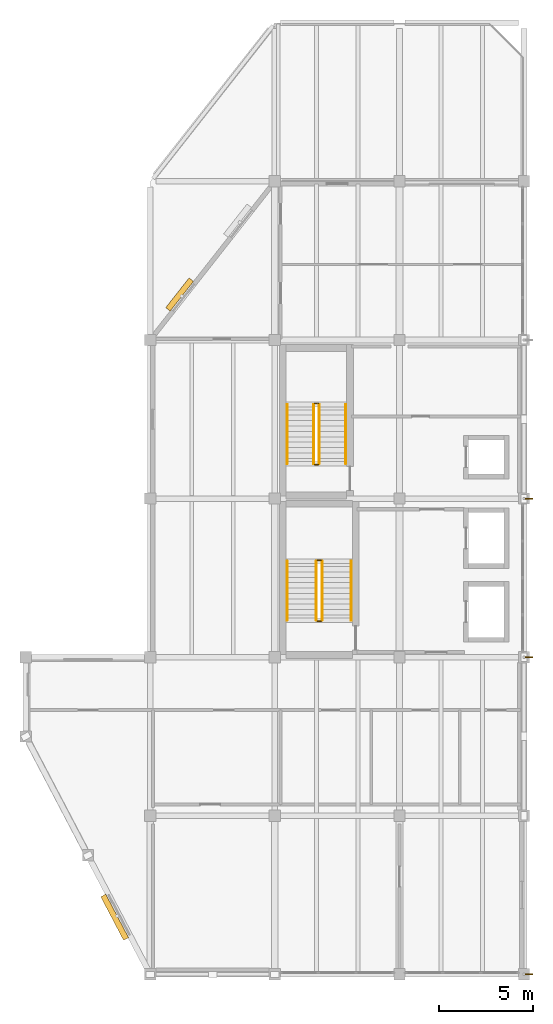
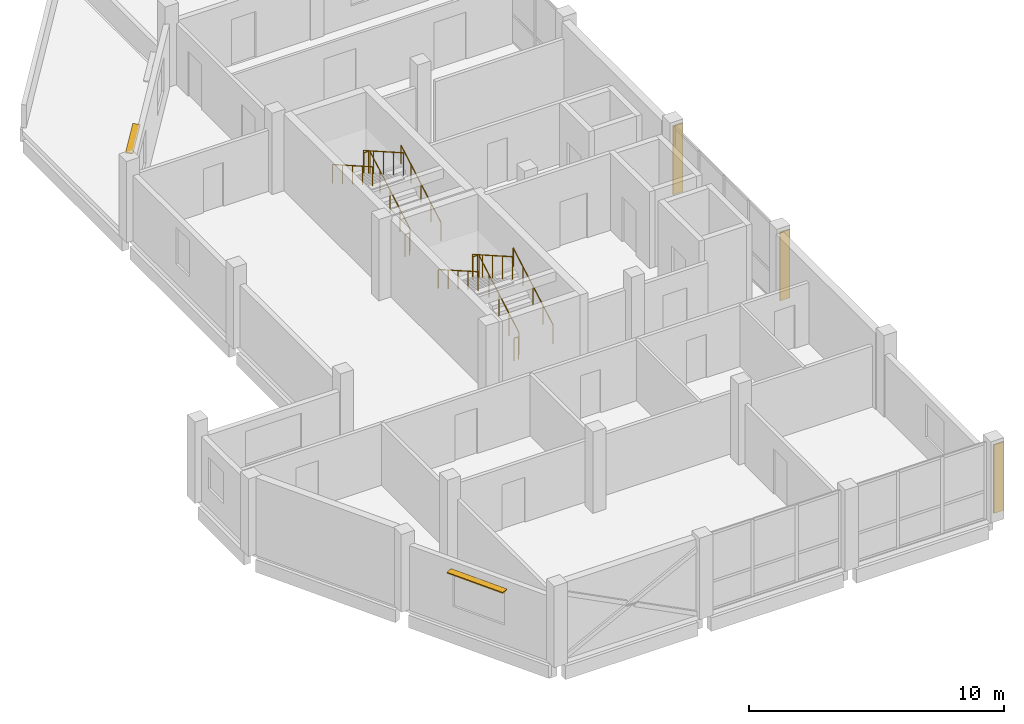
# One storey, part 9 of 10: 12 railings, 5 shading devices.
"""IFC4 building model written with IfcOpenShell, lengths in metres."""

from ifc_helpers import new_model, si_unit, direction, frame, origin, origin_2d, place, context, subcontext, project, spatial, rectangle, circle, extrude, material, layer, layer_set, type_object, element, save


model = new_model("IFC4")

# Units and contexts
model_context = context("Model", 3, precision=1e-05, world=origin(), true_north=direction((0.0, 1.0)))
body_context = subcontext(model_context, "Body", "Model", "MODEL_VIEW")
ifc_project = project(units=[si_unit("LENGTHUNIT", "METRE"), si_unit("AREAUNIT", "SQUARE_METRE"), si_unit("VOLUMEUNIT", "CUBIC_METRE"), si_unit("PLANEANGLEUNIT", "RADIAN"), si_unit("MASSUNIT", "GRAM", prefix="KILO")], contexts=[model_context])

# Site, building, storey
site_placement = place(None, origin())
site = spatial("IfcSite", under=ifc_project, at=site_placement, CompositionType="ELEMENT")
building_placement = place(site_placement, origin())
building = spatial("IfcBuilding", under=site, at=building_placement, Name="Qaldarim Faculty of Natural and Applied Sciences", CompositionType="ELEMENT")
storey_placement = place(building_placement, frame((0.0, 0.0, 39.300048828125)))
storey = spatial("IfcBuildingStorey", under=building, at=storey_placement, Name="L09", CompositionType="ELEMENT", Elevation=39.300048828125)

# Railings
ifc_material_1 = material(Name="Architectural stainless steel 316", Category="steel")
railing_type_1 = type_object("IfcRailingType", Name="GuardBalustrade-1100", PredefinedType="BALUSTRADE", material=ifc_material_1)
railing_1_placement = place(storey_placement, frame((167.5, 18.75, 0.159912109375)))
element("IfcRailing", 1, at=railing_1_placement, inside=storey, type_object=railing_type_1, Name="ST-A1 L09 stair well guard 1", PredefinedType="BALUSTRADE", context=body_context, shape_type="SweptSolid", body=[
    extrude(circle(Radius=0.02392578125, at=origin_2d()), frame((0.0, 0.0, 1.076171875), z_axis=(0.0, 0.86840956187, 0.495847590346), x_axis=(-1.0, 0.0, 0.0)), (0.0, 0.0, 1.0), 3.610107421875),
    extrude(circle(Radius=0.02099609375, at=origin_2d()), origin(), (0.0, 0.0, 1.0), 1.052001953125),
    extrude(circle(Radius=0.02099609375, at=origin_2d()), frame((0.0, 0.78369140625, 0.447509765625)), (0.0, 0.0, 1.0), 1.052001953125),
    extrude(circle(Radius=0.02099609375, at=origin_2d()), frame((0.0, 1.5673828125, 0.89501953125)), (0.0, 0.0, 1.0), 1.052001953125),
    extrude(circle(Radius=0.02099609375, at=origin_2d()), frame((0.0, 2.351318359375, 1.342529296875)), (0.0, 0.0, 1.0), 1.052001953125),
    extrude(circle(Radius=0.02099609375, at=origin_2d()), frame((0.0, 3.135009765625, 1.7900390625)), (0.0, 0.0, 1.0), 1.052001953125),
])
railing_2_placement = place(storey_placement, frame((167.449951171875, 21.93505859375, 1.949951171875)))
element("IfcRailing", 2, at=railing_2_placement, inside=storey, type_object=railing_type_1, Name="ST-A1 L09 stair well guard 2", PredefinedType="BALUSTRADE", context=body_context, shape_type="SweptSolid", body=[
    extrude(circle(Radius=0.02392578125, at=origin_2d()), frame((0.0, 0.0, 1.076171875), z_axis=(-1.0, 0.0, 0.0), x_axis=(0.0, -1.0, 0.0)), (0.0, 0.0, 1.0), 0.199951171875),
    extrude(circle(Radius=0.02099609375, at=origin_2d()), origin(), (0.0, 0.0, 1.0), 1.052001953125),
    extrude(circle(Radius=0.02099609375, at=origin_2d()), frame((-0.199951171875, 0.0, 0.0)), (0.0, 0.0, 1.0), 1.052001953125),
])
railing_3_placement = place(storey_placement, frame((167.199951171875, 21.885009765625, 2.10986328125)))
element("IfcRailing", 3, at=railing_3_placement, inside=storey, type_object=railing_type_1, Name="ST-A1 L09 stair well guard 3", PredefinedType="BALUSTRADE", context=body_context, shape_type="SweptSolid", body=[
    extrude(circle(Radius=0.02392578125, at=origin_2d()), frame((0.0, 0.0, 1.076171875), z_axis=(0.0, -0.86840956187, 0.495847590346), x_axis=(1.0, 0.0, 0.0)), (0.0, 0.0, 1.0), 3.610107421875),
    extrude(circle(Radius=0.02099609375, at=origin_2d()), origin(), (0.0, 0.0, 1.0), 1.052001953125),
    extrude(circle(Radius=0.02099609375, at=origin_2d()), frame((0.0, -0.78369140625, 0.447509765625)), (0.0, 0.0, 1.0), 1.052001953125),
    extrude(circle(Radius=0.02099609375, at=origin_2d()), frame((0.0, -1.5673828125, 0.89501953125)), (0.0, 0.0, 1.0), 1.052001953125),
    extrude(circle(Radius=0.02099609375, at=origin_2d()), frame((0.0, -2.351318359375, 1.342529296875)), (0.0, 0.0, 1.0), 1.052001953125),
    extrude(circle(Radius=0.02099609375, at=origin_2d()), frame((0.0, -3.135009765625, 1.7900390625)), (0.0, 0.0, 1.0), 1.052001953125),
])
railing_4_placement = place(storey_placement, frame((167.449951171875, 18.699951171875, 0.0)))
element("IfcRailing", 4, at=railing_4_placement, inside=storey, type_object=railing_type_1, Name="ST-A1 L09 stair well guard 4", PredefinedType="BALUSTRADE", context=body_context, shape_type="SweptSolid", body=[
    extrude(circle(Radius=0.02392578125, at=origin_2d()), frame((0.0, 0.0, 1.076171875), z_axis=(-1.0, 0.0, 0.0), x_axis=(0.0, -1.0, 0.0)), (0.0, 0.0, 1.0), 0.199951171875),
    extrude(circle(Radius=0.02099609375, at=origin_2d()), origin(), (0.0, 0.0, 1.0), 1.052001953125),
    extrude(circle(Radius=0.02099609375, at=origin_2d()), frame((-0.199951171875, 0.0, 0.0)), (0.0, 0.0, 1.0), 1.052001953125),
])
railing_5_placement = place(storey_placement, frame((167.35009765625, 27.050048828125, 0.159912109375)))
element("IfcRailing", 5, at=railing_5_placement, inside=storey, type_object=railing_type_1, Name="ST-A2 L09 stair well guard 1", PredefinedType="BALUSTRADE", context=body_context, shape_type="SweptSolid", body=[
    extrude(circle(Radius=0.02392578125, at=origin_2d()), frame((0.0, 0.0, 1.076171875), z_axis=(0.0, 0.86840956187, 0.495847590346), x_axis=(-1.0, 0.0, 0.0)), (0.0, 0.0, 1.0), 3.610107421875),
    extrude(circle(Radius=0.02099609375, at=origin_2d()), origin(), (0.0, 0.0, 1.0), 1.052001953125),
    extrude(circle(Radius=0.02099609375, at=origin_2d()), frame((0.0, 0.78369140625, 0.447509765625)), (0.0, 0.0, 1.0), 1.052001953125),
    extrude(circle(Radius=0.02099609375, at=origin_2d()), frame((0.0, 1.5673828125, 0.89501953125)), (0.0, 0.0, 1.0), 1.052001953125),
    extrude(circle(Radius=0.02099609375, at=origin_2d()), frame((0.0, 2.351318359375, 1.342529296875)), (0.0, 0.0, 1.0), 1.052001953125),
    extrude(circle(Radius=0.02099609375, at=origin_2d()), frame((0.0, 3.135009765625, 1.7900390625)), (0.0, 0.0, 1.0), 1.052001953125),
])
railing_6_placement = place(storey_placement, frame((167.300048828125, 30.235107421875, 1.949951171875)))
element("IfcRailing", 6, at=railing_6_placement, inside=storey, type_object=railing_type_1, Name="ST-A2 L09 stair well guard 2", PredefinedType="BALUSTRADE", context=body_context, shape_type="SweptSolid", body=[
    extrude(circle(Radius=0.02392578125, at=origin_2d()), frame((0.0, 0.0, 1.076171875), z_axis=(-1.0, 0.0, 0.0), x_axis=(0.0, -1.0, 0.0)), (0.0, 0.0, 1.0), 0.199951171875),
    extrude(circle(Radius=0.02099609375, at=origin_2d()), origin(), (0.0, 0.0, 1.0), 1.052001953125),
    extrude(circle(Radius=0.02099609375, at=origin_2d()), frame((-0.199951171875, 0.0, 0.0)), (0.0, 0.0, 1.0), 1.052001953125),
])
railing_7_placement = place(storey_placement, frame((167.050048828125, 30.18505859375, 2.10986328125)))
element("IfcRailing", 7, at=railing_7_placement, inside=storey, type_object=railing_type_1, Name="ST-A2 L09 stair well guard 3", PredefinedType="BALUSTRADE", context=body_context, shape_type="SweptSolid", body=[
    extrude(circle(Radius=0.02392578125, at=origin_2d()), frame((0.0, 0.0, 1.076171875), z_axis=(0.0, -0.86840956187, 0.495847590346), x_axis=(1.0, 0.0, 0.0)), (0.0, 0.0, 1.0), 3.610107421875),
    extrude(circle(Radius=0.02099609375, at=origin_2d()), origin(), (0.0, 0.0, 1.0), 1.052001953125),
    extrude(circle(Radius=0.02099609375, at=origin_2d()), frame((0.0, -0.78369140625, 0.447509765625)), (0.0, 0.0, 1.0), 1.052001953125),
    extrude(circle(Radius=0.02099609375, at=origin_2d()), frame((0.0, -1.5673828125, 0.89501953125)), (0.0, 0.0, 1.0), 1.052001953125),
    extrude(circle(Radius=0.02099609375, at=origin_2d()), frame((0.0, -2.351318359375, 1.342529296875)), (0.0, 0.0, 1.0), 1.052001953125),
    extrude(circle(Radius=0.02099609375, at=origin_2d()), frame((0.0, -3.135009765625, 1.7900390625)), (0.0, 0.0, 1.0), 1.052001953125),
])
railing_8_placement = place(storey_placement, frame((167.300048828125, 27.0, 0.0)))
element("IfcRailing", 8, at=railing_8_placement, inside=storey, type_object=railing_type_1, Name="ST-A2 L09 stair well guard 4", PredefinedType="BALUSTRADE", context=body_context, shape_type="SweptSolid", body=[
    extrude(circle(Radius=0.02392578125, at=origin_2d()), frame((0.0, 0.0, 1.076171875), z_axis=(-1.0, 0.0, 0.0), x_axis=(0.0, -1.0, 0.0)), (0.0, 0.0, 1.0), 0.199951171875),
    extrude(circle(Radius=0.02099609375, at=origin_2d()), origin(), (0.0, 0.0, 1.0), 1.052001953125),
    extrude(circle(Radius=0.02099609375, at=origin_2d()), frame((-0.199951171875, 0.0, 0.0)), (0.0, 0.0, 1.0), 1.052001953125),
])

# Shading devices
ifc_material_2 = material(Name="Champagne anodised aluminium AW-6063", Category="aluminium")
ifc_layer_1 = layer(ifc_material_2, 0.050048828125)
ifc_layer_set_1 = layer_set([ifc_layer_1], Name="Champagne anodised aluminium AW-6063")
shading_device_type_1 = type_object("IfcShadingDeviceType", Name="SolarLouvre-ALU300x50", PredefinedType="JALOUSIE", material=ifc_layer_set_1)
shading_device_1_placement = place(storey_placement, frame((156.514892578125, 3.02490234375, 2.6748046875), z_axis=(0.0, 0.0, 1.0), x_axis=(0.46447113214, -0.885588260654, 0.0)))
element("IfcShadingDevice", 9, at=shading_device_1_placement, inside=storey, type_object=shading_device_type_1, Name="Oblique facade horizontal solar louvre SHD-OBL-SW-L09-2", PredefinedType="JALOUSIE", context=body_context, shape_type="SweptSolid", body=[
    extrude(rectangle(XDim=2.60009765625, YDim=0.300048828125, at=origin_2d()), origin(), (0.0, 0.0, 1.0), 0.050048828125),
])
shading_device_2_placement = place(storey_placement, frame((159.955078125, 36.010009765625, 2.6748046875), z_axis=(0.0, 0.0, 1.0), x_axis=(0.617818442277, 0.786320782112, 0.0)))
element("IfcShadingDevice", 10, at=shading_device_2_placement, inside=storey, type_object=shading_device_type_1, Name="Oblique facade horizontal solar louvre SHD-OBL-NW-L09-1", PredefinedType="JALOUSIE", context=body_context, shape_type="SweptSolid", body=[
    extrude(rectangle(XDim=2.0, YDim=0.300048828125, at=origin_2d()), origin(), (0.0, 0.0, 1.0), 0.050048828125),
])

# Railings
railing_type_2 = type_object("IfcRailingType", Name="StairHandrail-920", PredefinedType="HANDRAIL", material=ifc_material_1)
railing_9_placement = place(storey_placement, frame((169.050048828125, 18.75, 0.159912109375)))
element("IfcRailing", 11, at=railing_9_placement, inside=storey, type_object=railing_type_2, Name="ST-A1 L09 stair handrail 1", PredefinedType="HANDRAIL", context=body_context, shape_type="SweptSolid", body=[
    extrude(circle(Radius=0.02392578125, at=origin_2d()), frame((0.0, 0.0, 0.89599609375), z_axis=(0.0, 0.86840956187, 0.495847590346), x_axis=(-1.0, 0.0, 0.0)), (0.0, 0.0, 1.0), 3.610107421875),
    extrude(circle(Radius=0.02099609375, at=origin_2d()), origin(), (0.0, 0.0, 1.0), 0.871826171875),
    extrude(circle(Radius=0.02099609375, at=origin_2d()), frame((0.0, 0.78369140625, 0.447509765625)), (0.0, 0.0, 1.0), 0.871826171875),
    extrude(circle(Radius=0.02099609375, at=origin_2d()), frame((0.0, 1.5673828125, 0.89501953125)), (0.0, 0.0, 1.0), 0.871826171875),
    extrude(circle(Radius=0.02099609375, at=origin_2d()), frame((0.0, 2.351318359375, 1.342529296875)), (0.0, 0.0, 1.0), 0.871826171875),
    extrude(circle(Radius=0.02099609375, at=origin_2d()), frame((0.0, 3.135009765625, 1.7900390625)), (0.0, 0.0, 1.0), 0.871826171875),
])
railing_10_placement = place(storey_placement, frame((165.64990234375, 21.885009765625, 2.10986328125)))
element("IfcRailing", 12, at=railing_10_placement, inside=storey, type_object=railing_type_2, Name="ST-A1 L09 stair handrail 2", PredefinedType="HANDRAIL", context=body_context, shape_type="SweptSolid", body=[
    extrude(circle(Radius=0.02392578125, at=origin_2d()), frame((0.0, 0.0, 0.89599609375), z_axis=(0.0, -0.86840956187, 0.495847590346), x_axis=(1.0, 0.0, 0.0)), (0.0, 0.0, 1.0), 3.610107421875),
    extrude(circle(Radius=0.02099609375, at=origin_2d()), origin(), (0.0, 0.0, 1.0), 0.871826171875),
    extrude(circle(Radius=0.02099609375, at=origin_2d()), frame((0.0, -0.78369140625, 0.447509765625)), (0.0, 0.0, 1.0), 0.871826171875),
    extrude(circle(Radius=0.02099609375, at=origin_2d()), frame((0.0, -1.5673828125, 0.89501953125)), (0.0, 0.0, 1.0), 0.871826171875),
    extrude(circle(Radius=0.02099609375, at=origin_2d()), frame((0.0, -2.351318359375, 1.342529296875)), (0.0, 0.0, 1.0), 0.871826171875),
    extrude(circle(Radius=0.02099609375, at=origin_2d()), frame((0.0, -3.135009765625, 1.7900390625)), (0.0, 0.0, 1.0), 0.871826171875),
])
railing_11_placement = place(storey_placement, frame((168.75, 27.050048828125, 0.159912109375)))
element("IfcRailing", 13, at=railing_11_placement, inside=storey, type_object=railing_type_2, Name="ST-A2 L09 stair handrail 1", PredefinedType="HANDRAIL", context=body_context, shape_type="SweptSolid", body=[
    extrude(circle(Radius=0.02392578125, at=origin_2d()), frame((0.0, 0.0, 0.89599609375), z_axis=(0.0, 0.86840956187, 0.495847590346), x_axis=(-1.0, 0.0, 0.0)), (0.0, 0.0, 1.0), 3.610107421875),
    extrude(circle(Radius=0.02099609375, at=origin_2d()), origin(), (0.0, 0.0, 1.0), 0.871826171875),
    extrude(circle(Radius=0.02099609375, at=origin_2d()), frame((0.0, 0.78369140625, 0.447509765625)), (0.0, 0.0, 1.0), 0.871826171875),
    extrude(circle(Radius=0.02099609375, at=origin_2d()), frame((0.0, 1.5673828125, 0.89501953125)), (0.0, 0.0, 1.0), 0.871826171875),
    extrude(circle(Radius=0.02099609375, at=origin_2d()), frame((0.0, 2.351318359375, 1.342529296875)), (0.0, 0.0, 1.0), 0.871826171875),
    extrude(circle(Radius=0.02099609375, at=origin_2d()), frame((0.0, 3.135009765625, 1.7900390625)), (0.0, 0.0, 1.0), 0.871826171875),
])
railing_12_placement = place(storey_placement, frame((165.64990234375, 30.18505859375, 2.10986328125)))
element("IfcRailing", 14, at=railing_12_placement, inside=storey, type_object=railing_type_2, Name="ST-A2 L09 stair handrail 2", PredefinedType="HANDRAIL", context=body_context, shape_type="SweptSolid", body=[
    extrude(circle(Radius=0.02392578125, at=origin_2d()), frame((0.0, 0.0, 0.89599609375), z_axis=(0.0, -0.86840956187, 0.495847590346), x_axis=(1.0, 0.0, 0.0)), (0.0, 0.0, 1.0), 3.610107421875),
    extrude(circle(Radius=0.02099609375, at=origin_2d()), origin(), (0.0, 0.0, 1.0), 0.871826171875),
    extrude(circle(Radius=0.02099609375, at=origin_2d()), frame((0.0, -0.78369140625, 0.447509765625)), (0.0, 0.0, 1.0), 0.871826171875),
    extrude(circle(Radius=0.02099609375, at=origin_2d()), frame((0.0, -1.5673828125, 0.89501953125)), (0.0, 0.0, 1.0), 0.871826171875),
    extrude(circle(Radius=0.02099609375, at=origin_2d()), frame((0.0, -2.351318359375, 1.342529296875)), (0.0, 0.0, 1.0), 0.871826171875),
    extrude(circle(Radius=0.02099609375, at=origin_2d()), frame((0.0, -3.135009765625, 1.7900390625)), (0.0, 0.0, 1.0), 0.871826171875),
])

# Shading devices
ifc_layer_2 = layer(ifc_material_2, 0.06005859375)
ifc_layer_set_2 = layer_set([ifc_layer_2], Name="Champagne anodised aluminium AW-6063")
shading_device_type_2 = type_object("IfcShadingDeviceType", Name="VerticalSunFin-ALU450x60", PredefinedType="SHUTTER", material=ifc_layer_set_2)
for number, where, z_axis, x_axis, name in (
    (15, (178.425048828125, 0.0, 0.19970703125), (0.0, 0.0, 1.0), (1.0, 0.0, 0.0), "Tower solar fin FIN-V5E-L09-Y01"),
    (16, (178.425048828125, 16.800048828125, 0.19970703125), (0.0, 0.0, 1.0), (1.0, 0.0, 0.0), "Tower solar fin FIN-V5E-L09-Y03"),
    (17, (178.425048828125, 25.199951171875, 0.19970703125), (0.0, 0.0, 1.0), (1.0, 0.0, 0.0), "Tower solar fin FIN-V5E-L09-Y04"),
):
    element("IfcShadingDevice", number, at=place(storey_placement, frame(where, z_axis=z_axis, x_axis=x_axis)), inside=storey, type_object=shading_device_type_2, Name=name, PredefinedType="SHUTTER", context=body_context, shape_type="SweptSolid", body=[
        extrude(rectangle(XDim=0.449951171875, YDim=0.06005859375, at=origin_2d()), origin(), (0.0, 0.0, 1.0), 3.280029296875),
    ])

save(model, "model.ifc")
